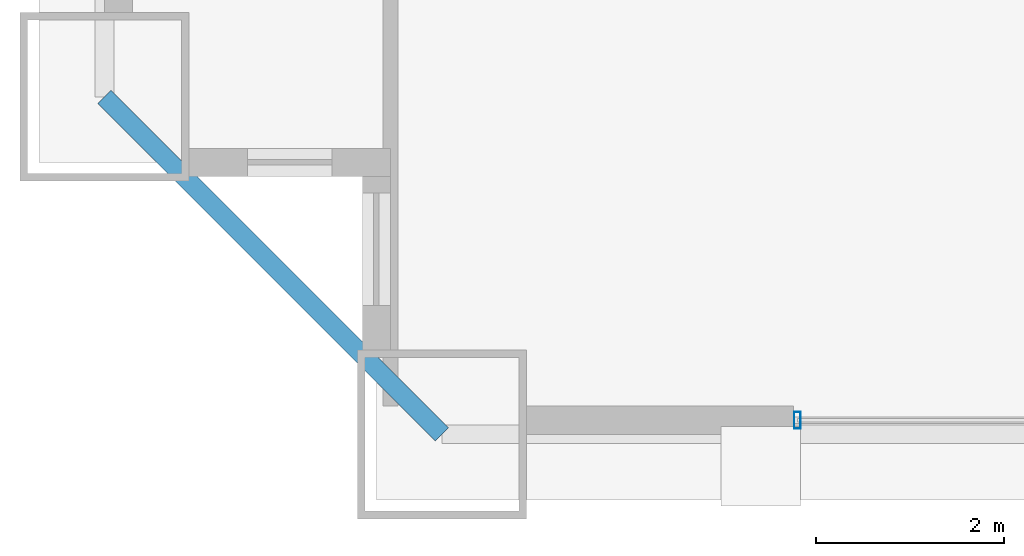
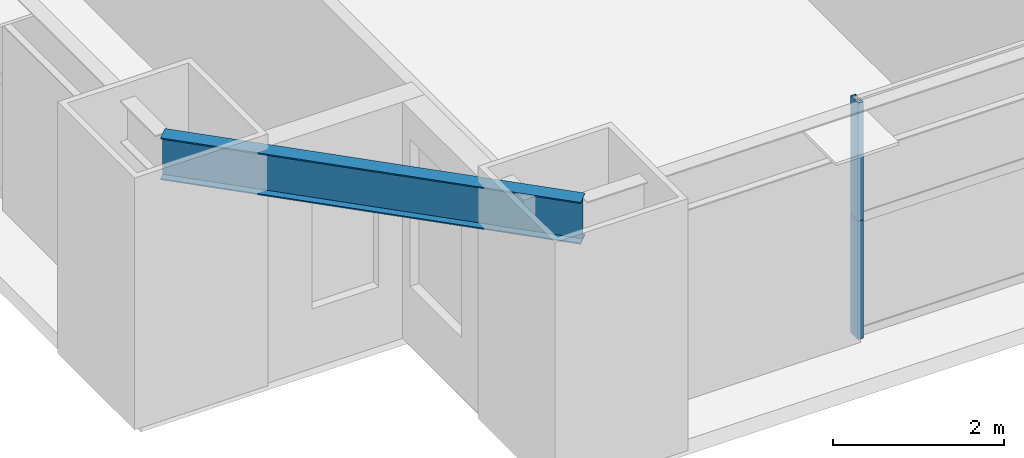
# One storey, part 3 of 45: 2 members, 1 beam, 1 element without a shape of its own.
"""IFC4 building model written with IfcOpenShell, lengths in metres."""

from ifc_helpers import new_model, si_unit, direction, frame, origin, origin_2d, place, context, subcontext, project, spatial, hollow_rectangle, i_section, extrude, source, transform, mapped, material, layer, layer_set, material_profile, profile_set, type_object, element, aggregate, save


model = new_model("IFC4")

# Units and contexts
model_context = context("Model", 3, precision=1e-05, world=origin(), true_north=direction((0.0, 1.0)))
body_context = subcontext(model_context, "Body", "Model", "MODEL_VIEW")
ifc_project = project(units=[si_unit("LENGTHUNIT", "METRE"), si_unit("AREAUNIT", "SQUARE_METRE"), si_unit("VOLUMEUNIT", "CUBIC_METRE"), si_unit("PLANEANGLEUNIT", "RADIAN"), si_unit("MASSUNIT", "GRAM", prefix="KILO"), si_unit("THERMODYNAMICTEMPERATUREUNIT", "KELVIN"), si_unit("POWERUNIT", "WATT")], contexts=[model_context])

# Site, building, storey
site_placement = place(None, origin())
site = spatial("IfcSite", under=ifc_project, at=site_placement, CompositionType="ELEMENT")
building_placement = place(site_placement, origin())
building = spatial("IfcBuilding", under=site, at=building_placement, Name="Yuzanri Waterfront Tower", CompositionType="ELEMENT")
storey_placement = place(building_placement, frame((0.0, 0.0, 34.199951171875)))
storey = spatial("IfcBuildingStorey", under=building, at=storey_placement, Name="L08", CompositionType="ELEMENT", Elevation=34.199951171875)

# Beam
ifc_material_1 = material(Name="Steel Q355B", Category="steel")
ifc_material_profile_1 = material_profile(ifc_material_1, i_section(OverallWidth=0.199951171875, OverallDepth=0.60009765625, WebThickness=0.010986328125, FlangeThickness=0.01708984375, at=origin_2d()), Name="HN 600x200x11x17")
ifc_profile_set_1 = profile_set([ifc_material_profile_1], Name="Steel Q355B")
beam_type = type_object("IfcBeamType", Name="Perimeter Spandrel Q355B HN 600x200", PredefinedType="SPANDREL", material=ifc_profile_set_1)
shared_shape_1 = source(origin(), body_context, "Body", "SweptSolid", [
    extrude(i_section(OverallWidth=0.199951171875, OverallDepth=0.60009765625, WebThickness=0.010986328125, FlangeThickness=0.01708984375, at=origin_2d()), origin(), (0.0, 0.0, 1.0), 5.09130859375),
])
beam_placement = place(storey_placement, frame((11.89990234375, 4.300048828125, 3.080078125), z_axis=(0.707106781187, -0.707106781187, 0.0), x_axis=(0.707106781187, 0.707106781187, 0.0)))
element("IfcBeam", 1, at=beam_placement, inside=storey, type_object=beam_type, Name="L08 Perimeter Spandrel W1-S1", PredefinedType="SPANDREL", context=body_context, shape_type="MappedRepresentation", body=[
    mapped(shared_shape_1, transform((0.0, 0.0, 0.0), scale=1.0)),
])

# Curtain wall, members
ifc_material_2 = material(Name="Anodized Architectural Bronze", Category="metal")
ifc_layer = layer(ifc_material_2, 0.159912109375)
ifc_layer_set = layer_set([ifc_layer], Name="Anodized Architectural Bronze")
curtain_wall_type = type_object("IfcCurtainWallType", Name="Anodized Bronze Hotel Lower-Tier Recessed Unitized Curtain Wall 8100", PredefinedType="NOTDEFINED", material=ifc_layer_set)
curtain_wall_placement = place(storey_placement, origin())
curtain_wall = element("IfcCurtainWall", 2, at=curtain_wall_placement, inside=storey, type_object=curtain_wall_type, Name="L08 Curtain Wall CW-L08-SL1", PredefinedType="NOTDEFINED")
ifc_material_3 = material(Name="Anodized Architectural Bronze", Category="metal")
ifc_material_profile_2 = material_profile(ifc_material_3, hollow_rectangle(XDim=0.070068359375, YDim=0.179931640625, WallThickness=0.00390625, at=origin_2d()), Name="CWM 70x180")
ifc_profile_set_2 = profile_set([ifc_material_profile_2], Name="Anodized Architectural Bronze")
member_type = type_object("IfcMemberType", Name="Anodized Bronze Standard Curtain-Wall Mullion 70x180", PredefinedType="MULLION", material=ifc_profile_set_2)
shared_shape_2 = source(origin(), body_context, "Body", "SweptSolid", [
    extrude(hollow_rectangle(XDim=0.070068359375, YDim=0.179931640625, WallThickness=0.00390625, at=origin_2d()), origin(), (0.0, 0.0, 1.0), 1.68798828125),
])
member_1_placement = place(storey_placement, frame((19.2900390625, 0.85009765625, 0.0), z_axis=(0.0, 0.0, 1.0), x_axis=(1.0, 0.0, 0.0)))
member_1 = element("IfcMember", 3, at=member_1_placement, type_object=member_type, Name="CW-L08-SL1 Lower Mullion 00", PredefinedType="MULLION", context=body_context, shape_type="MappedRepresentation", body=[
    mapped(shared_shape_2, transform((0.0, 0.0, 0.0), scale=1.0)),
])
member_2_placement = place(storey_placement, frame((19.2900390625, 0.85009765625, 1.692138671875), z_axis=(0.0, 0.0, 1.0), x_axis=(1.0, 0.0, 0.0)))
member_2 = element("IfcMember", 4, at=member_2_placement, type_object=member_type, Name="CW-L08-SL1 Upper Mullion 00", PredefinedType="MULLION", context=body_context, shape_type="MappedRepresentation", body=[
    mapped(shared_shape_2, transform((0.0, 0.0, 0.0), scale=1.0)),
])
aggregate(curtain_wall, [member_1, member_2])

save(model, "model.ifc")
